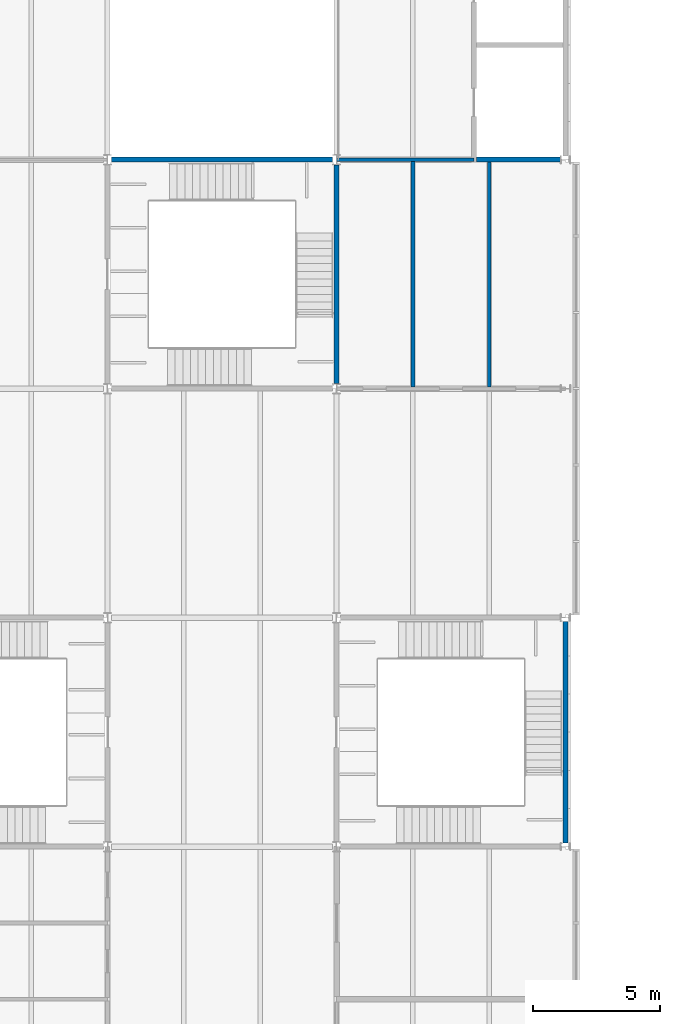
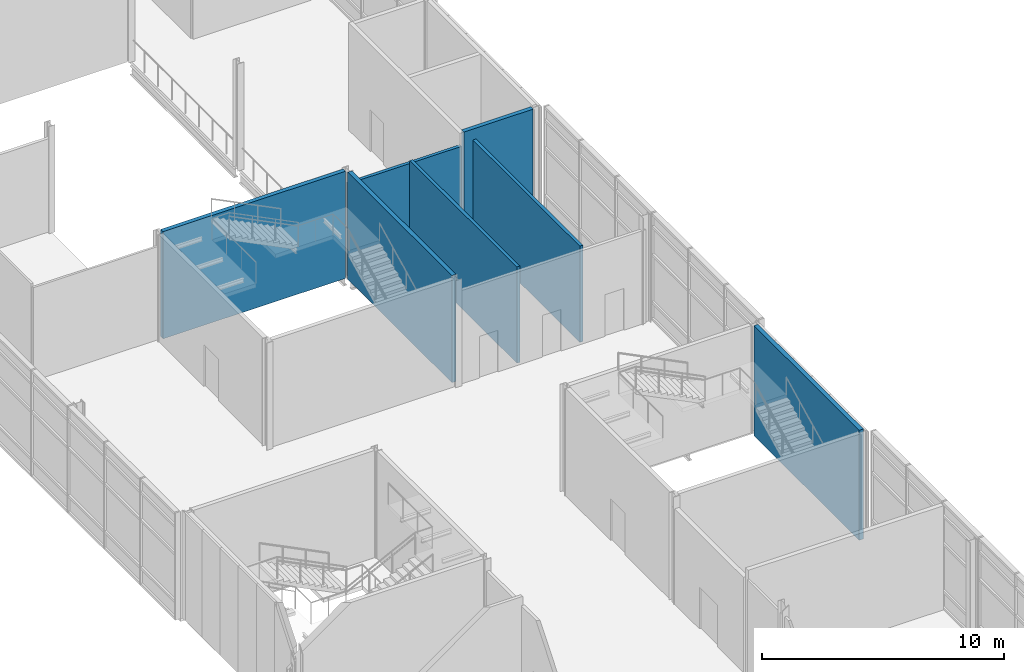
# One storey, part 38 of 56: 7 walls.
"""IFC4 building model written with IfcOpenShell, lengths in metres."""

import ifcopenshell
import ifcopenshell.guid

model = None  # the IFC model being written
_history = None  # IfcOwnerHistory: only IFC2X3 demands one
_inside = {}  # id of a spatial element -> (the spatial element, [elements in it])
_under = {}  # id of a project, library or spatial element -> (it, [spatial elements below it])
_declared = {}  # id of a project -> (the project, [libraries it declares])
_typed = {}  # id of a type object -> (the type object, [elements of that type])
_made_of = {}  # id of a material, layer set ... -> (it, [elements and type objects made of it])


def new_model(schema):
    """Start an empty IFC model of exactly this schema.

    Asked for "IFC4X3", IfcOpenShell would pick the latest addendum, in which some entities
    have other attributes; the version numbers below select the first issue.
    IFC2X3 requires an IfcOwnerHistory on every rooted entity: one is made here for all.
    """
    global model, _history
    if schema == "IFC4X3":
        model = ifcopenshell.file(schema_version=(4, 3, 0, 0))
    else:
        model = ifcopenshell.file(schema=schema)
    _inside.clear()
    _under.clear()
    _declared.clear()
    _typed.clear()
    _made_of.clear()
    _history = None
    if model.schema == "IFC2X3":
        org = make("IfcOrganization", Name="unknown")
        user = make(
            "IfcPersonAndOrganization",
            ThePerson=make("IfcPerson", FamilyName="unknown"),
            TheOrganization=org,
        )
        app = make(
            "IfcApplication",
            ApplicationDeveloper=org,
            Version="unknown",
            ApplicationFullName="unknown",
            ApplicationIdentifier="unknown",
        )
        _history = make(
            "IfcOwnerHistory",
            OwningUser=user,
            OwningApplication=app,
            ChangeAction="ADDED",
            CreationDate=0,
        )
    return model


def make(cls, **values):
    """One entity of the class cls with the attributes given. An attribute that is None is left unset."""
    return model.create_entity(
        cls, **{name: value for name, value in values.items() if value is not None}
    )


def rooted(cls, **values):
    """An entity with a GlobalId (a new one), such as an element, a storey or a relation."""
    return make(cls, GlobalId=ifcopenshell.guid.new(), OwnerHistory=_history, **values)


def si_unit(unit_type, name, prefix=None):
    """IfcSIUnit, for example si_unit("LENGTHUNIT", "METRE", prefix="MILLI")."""
    return make("IfcSIUnit", UnitType=unit_type, Prefix=prefix, Name=name)


def assignment(units):
    """IfcUnitAssignment: the units of a project."""
    return None if units is None else make("IfcUnitAssignment", Units=units)


def point(xyz):
    """IfcCartesianPoint."""
    return None if xyz is None else make("IfcCartesianPoint", Coordinates=xyz)


def direction(xyz):
    """IfcDirection."""
    return None if xyz is None else make("IfcDirection", DirectionRatios=xyz)


def frame(location, z_axis=None, x_axis=None):
    """IfcAxis2Placement3D, a coordinate frame: its origin and axes. An axis left out is left unset."""
    return make(
        "IfcAxis2Placement3D",
        Location=point(location),
        Axis=direction(z_axis),
        RefDirection=direction(x_axis),
    )


def frame_2d(location, x_axis=None):
    """IfcAxis2Placement2D, a coordinate frame in the plane: its origin and x axis."""
    return make(
        "IfcAxis2Placement2D", Location=point(location), RefDirection=direction(x_axis)
    )


def origin():
    """The frame at (0, 0, 0) with its axes left unset."""
    return frame((0.0, 0.0, 0.0))


def place(relative_to, where):
    """IfcLocalPlacement: puts the frame where relative to a parent placement (None: the world)."""
    return make(
        "IfcLocalPlacement", PlacementRelTo=relative_to, RelativePlacement=where
    )


def context(
    kind, dimensions, precision=None, world=None, true_north=None, identifier=None
):
    """IfcGeometricRepresentationContext, for example the 3D "Model" context."""
    return make(
        "IfcGeometricRepresentationContext",
        ContextIdentifier=identifier,
        ContextType=kind,
        CoordinateSpaceDimension=dimensions,
        Precision=precision,
        WorldCoordinateSystem=world,
        TrueNorth=true_north,
    )


def subcontext(parent, identifier, kind, view, scale=None):
    """IfcGeometricRepresentationSubContext, for example "Body" below "Model"."""
    return make(
        "IfcGeometricRepresentationSubContext",
        ContextIdentifier=identifier,
        ContextType=kind,
        ParentContext=parent,
        TargetScale=scale,
        TargetView=view,
    )


def project(units=None, contexts=None):
    """IfcProject with its units and contexts."""
    return rooted(
        "IfcProject",
        Name="project",
        RepresentationContexts=contexts,
        UnitsInContext=assignment(units),
    )


def spatial(cls, under=None, at=None, **own):
    """A site, building, storey or space (cls), placed at a placement, below another one or the project."""
    s = rooted(cls, ObjectPlacement=at, **own)
    if under is not None:
        _under.setdefault(under.id(), (under, []))[1].append(s)
    return s


def profile(cls, at=None, kind="AREA", **sizes):
    """A parametric profile (cls). Its sizes go by their IFC names, for example OverallWidth=200.0."""
    return make(cls, ProfileType=kind, Position=at, **sizes)


def rectangle(**sizes):
    """IfcRectangleProfileDef."""
    return profile("IfcRectangleProfileDef", **sizes)


def extrude(swept, where, along, depth):
    """IfcExtrudedAreaSolid: the profile swept, set in the frame where, extruded along a direction by depth."""
    return make(
        "IfcExtrudedAreaSolid",
        SweptArea=swept,
        Position=where,
        ExtrudedDirection=direction(along),
        Depth=depth,
    )


def shape(context_of_items, identifier, shape_type, items):
    """IfcShapeRepresentation: the items that make up one representation, for example the "Body"."""
    return make(
        "IfcShapeRepresentation",
        ContextOfItems=context_of_items,
        RepresentationIdentifier=identifier,
        RepresentationType=shape_type,
        Items=items,
    )


def material(Name=None, Category=None):
    """IfcMaterial."""
    return make("IfcMaterial", Name=Name, Category=Category)


def layer(
    of_material, thickness, ventilated=None, Name=None, Category=None, Priority=None
):
    """IfcMaterialLayer: one layer of a wall or slab, of a material (None: an air gap)."""
    return make(
        "IfcMaterialLayer",
        Material=of_material,
        LayerThickness=thickness,
        IsVentilated=ventilated,
        Name=Name,
        Category=Category,
        Priority=Priority,
    )


def layer_set(layers, Name=None):
    """IfcMaterialLayerSet."""
    return make("IfcMaterialLayerSet", MaterialLayers=layers, LayerSetName=Name)


def made_of(thing, what):
    """Note that an element or type object is made of a material, layer set ...; save() writes the relation."""
    if what is not None:
        _made_of.setdefault(what.id(), (what, []))[1].append(thing)
    return thing


def type_object(cls, material=None, **own):
    """A type object (cls), such as IfcWallType, which elements share."""
    return made_of(rooted(cls, **own), material)


def element(
    cls,
    number,
    at=None,
    inside=None,
    cuts=None,
    type_object=None,
    material=None,
    context=None,
    identifier="Body",
    shape_type=None,
    held_by="IfcProductDefinitionShape",
    body=None,
    shapes=None,
    **own,
):
    """One element of the class cls, such as IfcWall. Its Tag is "e" and its number.

    at: its placement. inside: the storey or other place that contains it. cuts: it is an
    opening in that element (IfcRelVoidsElement). A single representation is given by context,
    identifier, shape_type and body (its items); several are given by shapes. held_by: the class
    of the entity that holds the representations. save() writes the other relations.
    """
    e = rooted(cls, Tag="e%d" % number, ObjectPlacement=at, **own)
    if body is not None:
        shapes = [shape(context, identifier, shape_type, body)]
    if shapes is not None:
        e.Representation = make(held_by, Representations=shapes)
    if inside is not None:
        _inside.setdefault(inside.id(), (inside, []))[1].append(e)
    if cuts is not None:
        rooted(
            "IfcRelVoidsElement", RelatingBuildingElement=cuts, RelatedOpeningElement=e
        )
    if type_object is not None:
        _typed.setdefault(type_object.id(), (type_object, []))[1].append(e)
    return made_of(e, material)


def aggregate(whole, parts):
    """IfcRelAggregates: a whole, such as a stair, and the parts it consists of."""
    return rooted("IfcRelAggregates", RelatingObject=whole, RelatedObjects=parts)


def save(model, path):
    """Write the relations noted so far, then the file.

    IfcRelAggregates (storeys below a building ...), IfcRelContainedInSpatialStructure (elements
    in a storey), IfcRelDefinesByType, IfcRelAssociatesMaterial and IfcRelDeclares: one each for
    every whole, place, type object, material and project.
    """
    for whole, parts in _under.values():
        aggregate(whole, parts)
    for where, things in _inside.values():
        rooted(
            "IfcRelContainedInSpatialStructure",
            RelatedElements=things,
            RelatingStructure=where,
        )
    for kind, things in _typed.values():
        rooted("IfcRelDefinesByType", RelatedObjects=things, RelatingType=kind)
    for what, things in _made_of.values():
        rooted("IfcRelAssociatesMaterial", RelatedObjects=things, RelatingMaterial=what)
    for by, libraries in _declared.values():
        rooted("IfcRelDeclares", RelatingContext=by, RelatedDefinitions=libraries)
    model.write(path)


model = new_model("IFC4")

# Units and contexts
model_context = context("Model", 3, precision=1e-05, world=origin(), true_north=direction((0.0, 1.0)))
body_context = subcontext(model_context, "Body", "Model", "MODEL_VIEW")
ifc_project = project(units=[si_unit("LENGTHUNIT", "METRE"), si_unit("AREAUNIT", "SQUARE_METRE"), si_unit("VOLUMEUNIT", "CUBIC_METRE"), si_unit("PLANEANGLEUNIT", "RADIAN"), si_unit("MASSUNIT", "GRAM", prefix="KILO")], contexts=[model_context])

# Site, building, storey
site_placement = place(None, origin())
site = spatial("IfcSite", under=ifc_project, at=site_placement, CompositionType="ELEMENT")
building_placement = place(site_placement, origin())
building = spatial("IfcBuilding", under=site, at=building_placement, Name="Azimuth Sports and Learning Centre", CompositionType="ELEMENT")
storey_placement = place(building_placement, frame((0.0, 0.0, 5.39990234375)))
storey = spatial("IfcBuildingStorey", under=building, at=storey_placement, Name="L01", CompositionType="ELEMENT", Elevation=5.39990234375)

# Walls
ifc_material_1 = material(Name="Lightweight blockwork, rendered", Category="masonry")
ifc_layer_1 = layer(ifc_material_1, 0.14990234375)
ifc_layer_set_1 = layer_set([ifc_layer_1], Name="Lightweight blockwork, rendered")
wall_type_1 = type_object("IfcWallType", Name="Partition 150 EI 60", PredefinedType="PARTITIONING", material=ifc_layer_set_1)
wall_1_placement = place(storey_placement, frame((90.0, 54.0, 0.0), z_axis=(0.0, 0.0, 1.0), x_axis=(1.0, 0.0, 0.0)))
element("IfcWall", 1, at=wall_1_placement, inside=storey, type_object=wall_type_1, Name="Partition 150 EI 60", PredefinedType="PARTITIONING", context=body_context, shape_type="SweptSolid", body=[
    extrude(rectangle(XDim=5.39990234375, YDim=0.14990234375, at=frame_2d((2.699951171875, 0.0))), origin(), (0.0, 0.0, 1.0), 4.7001953125),
])
wall_2_placement = place(storey_placement, frame((93.0, 45.074951171875, 0.0), z_axis=(0.0, 0.0, 1.0), x_axis=(0.0, 1.0, 0.0)))
element("IfcWall", 2, at=wall_2_placement, inside=storey, type_object=wall_type_1, Name="Partition 150 EI 60", PredefinedType="PARTITIONING", context=body_context, shape_type="SweptSolid", body=[
    extrude(rectangle(XDim=8.85009765625, YDim=0.14990234375, at=frame_2d((4.425048828125, 0.0))), origin(), (0.0, 0.0, 1.0), 4.85009765625),
])
wall_3_placement = place(storey_placement, frame((96.0, 45.074951171875, 0.0), z_axis=(0.0, 0.0, 1.0), x_axis=(0.0, 1.0, 0.0)))
element("IfcWall", 3, at=wall_3_placement, inside=storey, type_object=wall_type_1, Name="Partition 150 EI 60", PredefinedType="PARTITIONING", context=body_context, shape_type="SweptSolid", body=[
    extrude(rectangle(XDim=8.925048828125, YDim=0.14990234375, at=frame_2d((4.46240234375, 0.0))), origin(), (0.0, 0.0, 1.0), 4.85009765625),
])
ifc_material_2 = material(Name="Concrete C40/50", Category="concrete")
ifc_layer_2 = layer(ifc_material_2, 0.199951171875)
ifc_layer_set_2 = layer_set([ifc_layer_2], Name="Concrete C40/50")
wall_type_2 = type_object("IfcWallType", Name="RC cell wall 200 EI 120", PredefinedType="SHEAR", material=ifc_layer_set_2)
wall_4_placement = place(storey_placement, frame((81.14990234375, 54.0, 0.0), z_axis=(0.0, 0.0, 1.0), x_axis=(1.0, 0.0, 0.0)))
element("IfcWall", 4, at=wall_4_placement, inside=storey, type_object=wall_type_2, Name="CE-STC-N-L01", PredefinedType="SHEAR", context=body_context, shape_type="SweptSolid", body=[
    extrude(rectangle(XDim=8.7001953125, YDim=0.199951171875, at=frame_2d((4.35009765625, 0.0))), origin(), (0.0, 0.0, 1.0), 5.400146484375),
])
wall_5_placement = place(storey_placement, frame((90.0, 45.199951171875, 0.0), z_axis=(0.0, 0.0, 1.0), x_axis=(0.0, 1.0, 0.0)))
element("IfcWall", 5, at=wall_5_placement, inside=storey, type_object=wall_type_2, Name="CE-STC-E-L01", PredefinedType="SHEAR", context=body_context, shape_type="SweptSolid", body=[
    extrude(rectangle(XDim=8.60009765625, YDim=0.199951171875, at=frame_2d((4.300048828125, 0.0))), origin(), (0.0, 0.0, 1.0), 5.400146484375),
])
wall_6_placement = place(storey_placement, frame((95.5, 54.0, 0.0), z_axis=(0.0, 0.0, 1.0), x_axis=(1.0, 0.0, 0.0)))
element("IfcWall", 6, at=wall_6_placement, inside=storey, type_object=wall_type_2, Name="CE-STL-S-L01", PredefinedType="SHEAR", context=body_context, shape_type="SweptSolid", body=[
    extrude(rectangle(XDim=3.300048828125, YDim=0.199951171875, at=frame_2d((1.64990234375, 0.0))), origin(), (0.0, 0.0, 1.0), 5.400146484375),
])
ifc_material_3 = material(Name="Concrete C40/50", Category="concrete")
ifc_layer_3 = layer(ifc_material_3, 0.199951171875)
ifc_layer_set_3 = layer_set([ifc_layer_3], Name="Concrete C40/50")
wall_type_3 = type_object("IfcWallType", Name="RC external cell wall 200 EI 120", PredefinedType="SHEAR", material=ifc_layer_set_3)
wall_7_placement = place(storey_placement, frame((99.0, 27.14990234375, -0.14990234375), z_axis=(0.0, 0.0, 1.0), x_axis=(0.0, 1.0, 0.0)))
element("IfcWall", 7, at=wall_7_placement, inside=storey, type_object=wall_type_3, Name="CE-ST4-E-L01", PredefinedType="SHEAR", context=body_context, shape_type="SweptSolid", body=[
    extrude(rectangle(XDim=8.7001953125, YDim=0.199951171875, at=frame_2d((4.35009765625, 0.0))), origin(), (0.0, 0.0, 1.0), 5.550048828125),
])

save(model, "model.ifc")
